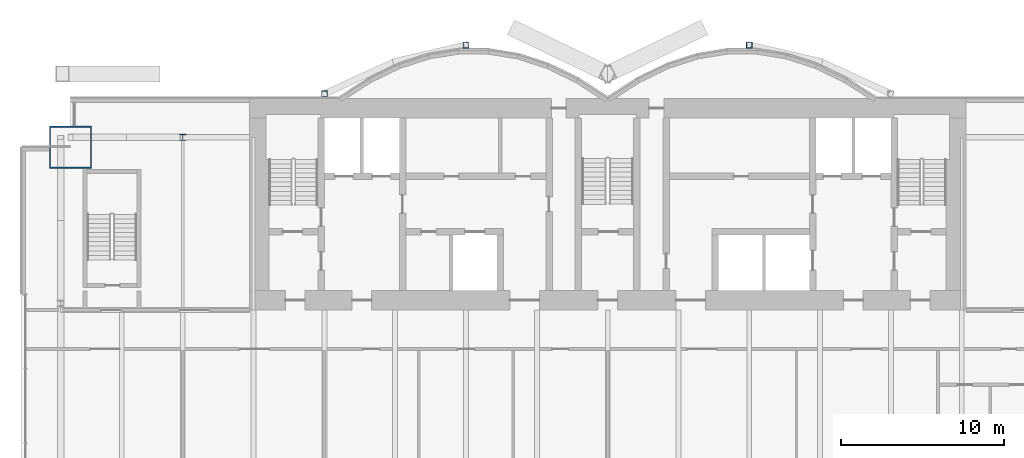
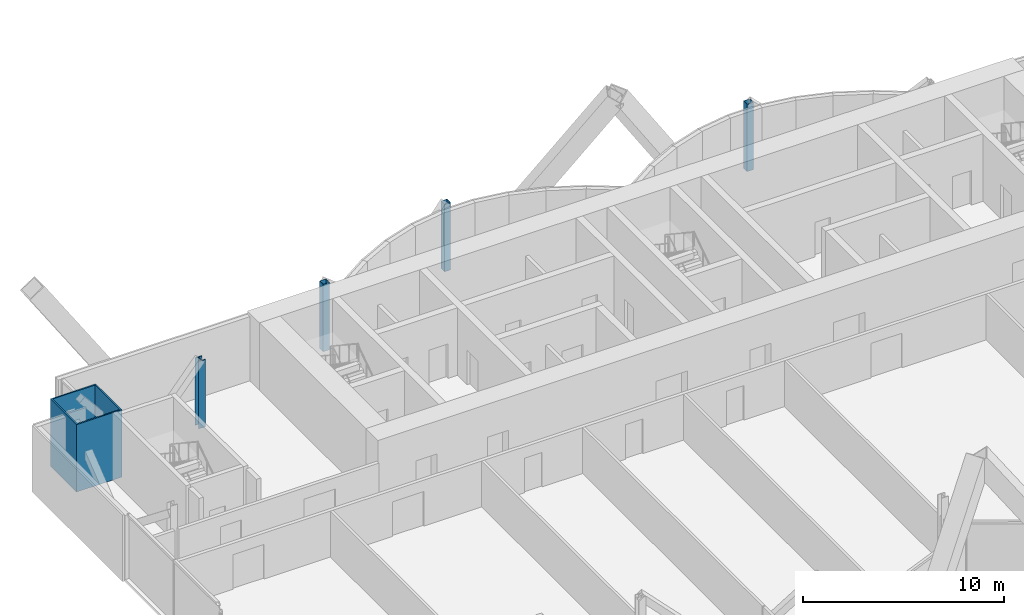
# One storey, part 3 of 21: 5 columns.
"""IFC4 building model written with IfcOpenShell, lengths in metres."""

from ifc_helpers import new_model, si_unit, direction, frame, origin, origin_2d, place, context, subcontext, project, spatial, hollow_rectangle, i_section, extrude, material, material_profile, profile_set, type_object, element, save


model = new_model("IFC4")

# Units and contexts
model_context = context("Model", 3, precision=1e-05, world=origin(), true_north=direction((0.0, 1.0)))
body_context = subcontext(model_context, "Body", "Model", "MODEL_VIEW")
ifc_project = project(units=[si_unit("LENGTHUNIT", "METRE"), si_unit("AREAUNIT", "SQUARE_METRE"), si_unit("VOLUMEUNIT", "CUBIC_METRE"), si_unit("PLANEANGLEUNIT", "RADIAN"), si_unit("MASSUNIT", "GRAM", prefix="KILO")], contexts=[model_context])

# Site, building, storey
site_placement = place(None, origin())
site = spatial("IfcSite", under=ifc_project, at=site_placement, CompositionType="ELEMENT")
building_placement = place(site_placement, origin())
building = spatial("IfcBuilding", under=site, at=building_placement, Name="Bicima Exchange Tower", CompositionType="ELEMENT")
storey_placement = place(building_placement, frame((0.0, 0.0, 181.39990234375)))
storey = spatial("IfcBuildingStorey", under=building, at=storey_placement, Name="L40", CompositionType="ELEMENT", Elevation=181.39990234375)

# Columns
ifc_material_1 = material(Name="Steel ASTM A572 Gr 50", Category="steel")
ifc_material_profile_1 = material_profile(ifc_material_1, hollow_rectangle(XDim=2.60009765625, YDim=2.60009765625, WallThickness=0.080078125, at=origin_2d()))
ifc_profile_set_1 = profile_set([ifc_material_profile_1], Name="Steel ASTM A572 Gr 50")
column_type_1 = type_object("IfcColumnType", Name="Mega column BOX 2600x2600x80", PredefinedType="COLUMN", material=ifc_profile_set_1)
column_1_placement = place(storey_placement, frame((-33.0, -3.0, 0.0), z_axis=(0.0, 0.0, 1.0), x_axis=(1.0, 0.0, 0.0)))
element("IfcColumn", 1, at=column_1_placement, inside=storey, type_object=column_type_1, Name="Mega column mega-33.0r", PredefinedType="COLUMN", context=body_context, shape_type="SweptSolid", body=[
    extrude(hollow_rectangle(XDim=2.60009765625, YDim=2.60009765625, WallThickness=0.080078125, at=origin_2d()), origin(), (0.0, 0.0, 1.0), 4.10009765625),
])
ifc_material_2 = material(Name="Steel ASTM A992 Gr 50", Category="steel")
ifc_material_profile_2 = material_profile(ifc_material_2, i_section(OverallWidth=0.396240234375, OverallDepth=0.381103515625, WebThickness=0.01904296875, FlangeThickness=0.0302734375, at=origin_2d()))
ifc_profile_set_2 = profile_set([ifc_material_profile_2], Name="Steel ASTM A992 Gr 50")
column_type_2 = type_object("IfcColumnType", Name="Perimeter column W14x159", PredefinedType="COLUMN", material=ifc_profile_set_2)
column_2_placement = place(storey_placement, frame((-26.10009765625, -2.39990234375, 0.0), z_axis=(0.0, 0.0, 1.0), x_axis=(1.0, 0.0, 0.0)))
element("IfcColumn", 2, at=column_2_placement, inside=storey, type_object=column_type_2, Name="Perimeter column grav-26.1r", PredefinedType="COLUMN", context=body_context, shape_type="SweptSolid", body=[
    extrude(i_section(OverallWidth=0.396240234375, OverallDepth=0.381103515625, WebThickness=0.01904296875, FlangeThickness=0.0302734375, at=origin_2d()), origin(), (0.0, 0.0, 1.0), 4.10009765625),
])
ifc_material_profile_3 = material_profile(ifc_material_1, hollow_rectangle(XDim=0.355712890625, YDim=0.355712890625, WallThickness=0.01171875, at=origin_2d()))
ifc_profile_set_3 = profile_set([ifc_material_profile_3], Name="Steel ASTM A572 Gr 50")
column_type_3 = type_object("IfcColumnType", Name="Rear pilaster HSS14x14x1/2", PredefinedType="COLUMN", material=ifc_profile_set_3)
for number, where, z_axis, x_axis, name in (
    (3, (-8.699951171875, 3.26904296875, 0.0), (0.0, 0.0, 1.0), (1.0, 0.0, 0.0), "Rear pilaster rexo-8.7r"),
    (4, (-17.39990234375, 0.278076171875, 0.0), (0.0, 0.0, 1.0), (1.0, 0.0, 0.0), "Rear pilaster rexo-17.4r"),
    (5, (8.699951171875, 3.26904296875, 0.0), (0.0, 0.0, 1.0), (1.0, 0.0, 0.0), "Rear pilaster rexo+8.7r"),
):
    element("IfcColumn", number, at=place(storey_placement, frame(where, z_axis=z_axis, x_axis=x_axis)), inside=storey, type_object=column_type_3, Name=name, PredefinedType="COLUMN", context=body_context, shape_type="SweptSolid", body=[
        extrude(hollow_rectangle(XDim=0.355712890625, YDim=0.355712890625, WallThickness=0.01171875, at=origin_2d()), origin(), (0.0, 0.0, 1.0), 4.10009765625),
    ])

save(model, "model.ifc")
